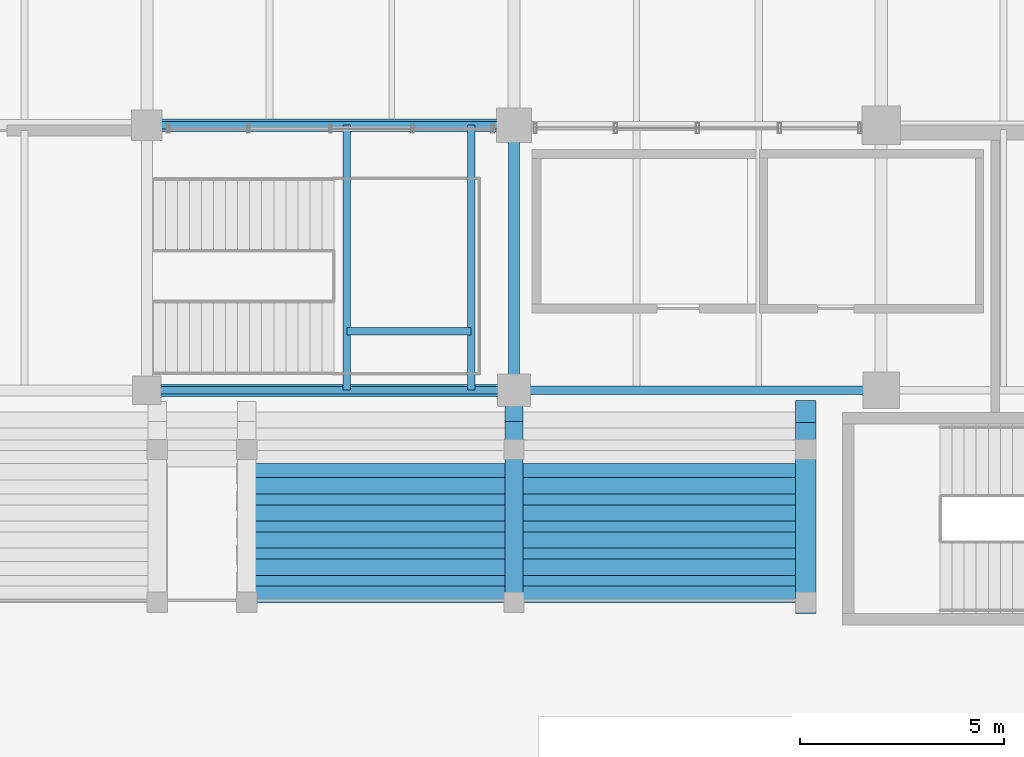
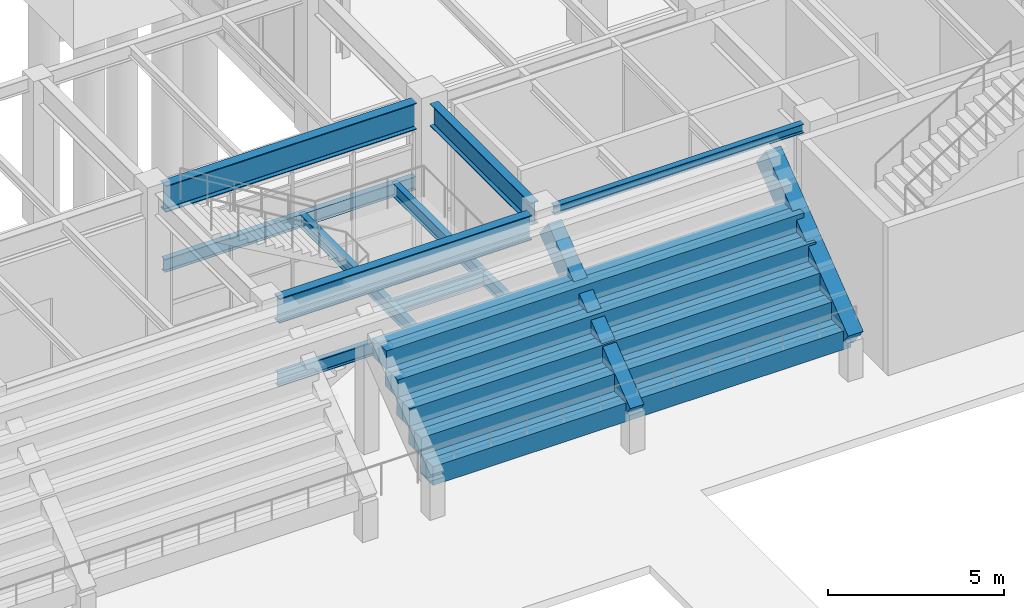
# One storey, part 82 of 203: 21 beams.
"""IFC4 building model written with IfcOpenShell, lengths in metres."""

import ifcopenshell
import ifcopenshell.guid

model = None  # the IFC model being written
_history = None  # IfcOwnerHistory: only IFC2X3 demands one
_inside = {}  # id of a spatial element -> (the spatial element, [elements in it])
_under = {}  # id of a project, library or spatial element -> (it, [spatial elements below it])
_declared = {}  # id of a project -> (the project, [libraries it declares])
_typed = {}  # id of a type object -> (the type object, [elements of that type])
_made_of = {}  # id of a material, layer set ... -> (it, [elements and type objects made of it])


def new_model(schema):
    """Start an empty IFC model of exactly this schema.

    Asked for "IFC4X3", IfcOpenShell would pick the latest addendum, in which some entities
    have other attributes; the version numbers below select the first issue.
    IFC2X3 requires an IfcOwnerHistory on every rooted entity: one is made here for all.
    """
    global model, _history
    if schema == "IFC4X3":
        model = ifcopenshell.file(schema_version=(4, 3, 0, 0))
    else:
        model = ifcopenshell.file(schema=schema)
    _inside.clear()
    _under.clear()
    _declared.clear()
    _typed.clear()
    _made_of.clear()
    _history = None
    if model.schema == "IFC2X3":
        org = make("IfcOrganization", Name="unknown")
        user = make(
            "IfcPersonAndOrganization",
            ThePerson=make("IfcPerson", FamilyName="unknown"),
            TheOrganization=org,
        )
        app = make(
            "IfcApplication",
            ApplicationDeveloper=org,
            Version="unknown",
            ApplicationFullName="unknown",
            ApplicationIdentifier="unknown",
        )
        _history = make(
            "IfcOwnerHistory",
            OwningUser=user,
            OwningApplication=app,
            ChangeAction="ADDED",
            CreationDate=0,
        )
    return model


def make(cls, **values):
    """One entity of the class cls with the attributes given. An attribute that is None is left unset."""
    return model.create_entity(
        cls, **{name: value for name, value in values.items() if value is not None}
    )


def rooted(cls, **values):
    """An entity with a GlobalId (a new one), such as an element, a storey or a relation."""
    return make(cls, GlobalId=ifcopenshell.guid.new(), OwnerHistory=_history, **values)


def si_unit(unit_type, name, prefix=None):
    """IfcSIUnit, for example si_unit("LENGTHUNIT", "METRE", prefix="MILLI")."""
    return make("IfcSIUnit", UnitType=unit_type, Prefix=prefix, Name=name)


def assignment(units):
    """IfcUnitAssignment: the units of a project."""
    return None if units is None else make("IfcUnitAssignment", Units=units)


def point(xyz):
    """IfcCartesianPoint."""
    return None if xyz is None else make("IfcCartesianPoint", Coordinates=xyz)


def direction(xyz):
    """IfcDirection."""
    return None if xyz is None else make("IfcDirection", DirectionRatios=xyz)


def frame(location, z_axis=None, x_axis=None):
    """IfcAxis2Placement3D, a coordinate frame: its origin and axes. An axis left out is left unset."""
    return make(
        "IfcAxis2Placement3D",
        Location=point(location),
        Axis=direction(z_axis),
        RefDirection=direction(x_axis),
    )


def frame_2d(location, x_axis=None):
    """IfcAxis2Placement2D, a coordinate frame in the plane: its origin and x axis."""
    return make(
        "IfcAxis2Placement2D", Location=point(location), RefDirection=direction(x_axis)
    )


def origin():
    """The frame at (0, 0, 0) with its axes left unset."""
    return frame((0.0, 0.0, 0.0))


def origin_2d():
    """The frame at (0, 0) in the plane with its x axis left unset."""
    return frame_2d((0.0, 0.0))


def place(relative_to, where):
    """IfcLocalPlacement: puts the frame where relative to a parent placement (None: the world)."""
    return make(
        "IfcLocalPlacement", PlacementRelTo=relative_to, RelativePlacement=where
    )


def context(
    kind, dimensions, precision=None, world=None, true_north=None, identifier=None
):
    """IfcGeometricRepresentationContext, for example the 3D "Model" context."""
    return make(
        "IfcGeometricRepresentationContext",
        ContextIdentifier=identifier,
        ContextType=kind,
        CoordinateSpaceDimension=dimensions,
        Precision=precision,
        WorldCoordinateSystem=world,
        TrueNorth=true_north,
    )


def subcontext(parent, identifier, kind, view, scale=None):
    """IfcGeometricRepresentationSubContext, for example "Body" below "Model"."""
    return make(
        "IfcGeometricRepresentationSubContext",
        ContextIdentifier=identifier,
        ContextType=kind,
        ParentContext=parent,
        TargetScale=scale,
        TargetView=view,
    )


def project(units=None, contexts=None):
    """IfcProject with its units and contexts."""
    return rooted(
        "IfcProject",
        Name="project",
        RepresentationContexts=contexts,
        UnitsInContext=assignment(units),
    )


def spatial(cls, under=None, at=None, **own):
    """A site, building, storey or space (cls), placed at a placement, below another one or the project."""
    s = rooted(cls, ObjectPlacement=at, **own)
    if under is not None:
        _under.setdefault(under.id(), (under, []))[1].append(s)
    return s


def profile(cls, at=None, kind="AREA", **sizes):
    """A parametric profile (cls). Its sizes go by their IFC names, for example OverallWidth=200.0."""
    return make(cls, ProfileType=kind, Position=at, **sizes)


def rectangle(**sizes):
    """IfcRectangleProfileDef."""
    return profile("IfcRectangleProfileDef", **sizes)


def i_section(**sizes):
    """IfcIShapeProfileDef."""
    return profile("IfcIShapeProfileDef", **sizes)


def extrude(swept, where, along, depth):
    """IfcExtrudedAreaSolid: the profile swept, set in the frame where, extruded along a direction by depth."""
    return make(
        "IfcExtrudedAreaSolid",
        SweptArea=swept,
        Position=where,
        ExtrudedDirection=direction(along),
        Depth=depth,
    )


def shape(context_of_items, identifier, shape_type, items):
    """IfcShapeRepresentation: the items that make up one representation, for example the "Body"."""
    return make(
        "IfcShapeRepresentation",
        ContextOfItems=context_of_items,
        RepresentationIdentifier=identifier,
        RepresentationType=shape_type,
        Items=items,
    )


def material(Name=None, Category=None):
    """IfcMaterial."""
    return make("IfcMaterial", Name=Name, Category=Category)


def material_profile(
    of_material, cross_section, Name=None, Category=None, Priority=None
):
    """IfcMaterialProfile: a cross section and its material."""
    return make(
        "IfcMaterialProfile",
        Name=Name,
        Material=of_material,
        Profile=cross_section,
        Priority=Priority,
        Category=Category,
    )


def profile_set(profiles, Name=None, composite=None):
    """IfcMaterialProfileSet."""
    return make(
        "IfcMaterialProfileSet",
        Name=Name,
        MaterialProfiles=profiles,
        CompositeProfile=composite,
    )


def made_of(thing, what):
    """Note that an element or type object is made of a material, layer set ...; save() writes the relation."""
    if what is not None:
        _made_of.setdefault(what.id(), (what, []))[1].append(thing)
    return thing


def type_object(cls, material=None, **own):
    """A type object (cls), such as IfcWallType, which elements share."""
    return made_of(rooted(cls, **own), material)


def element(
    cls,
    number,
    at=None,
    inside=None,
    cuts=None,
    type_object=None,
    material=None,
    context=None,
    identifier="Body",
    shape_type=None,
    held_by="IfcProductDefinitionShape",
    body=None,
    shapes=None,
    **own,
):
    """One element of the class cls, such as IfcWall. Its Tag is "e" and its number.

    at: its placement. inside: the storey or other place that contains it. cuts: it is an
    opening in that element (IfcRelVoidsElement). A single representation is given by context,
    identifier, shape_type and body (its items); several are given by shapes. held_by: the class
    of the entity that holds the representations. save() writes the other relations.
    """
    e = rooted(cls, Tag="e%d" % number, ObjectPlacement=at, **own)
    if body is not None:
        shapes = [shape(context, identifier, shape_type, body)]
    if shapes is not None:
        e.Representation = make(held_by, Representations=shapes)
    if inside is not None:
        _inside.setdefault(inside.id(), (inside, []))[1].append(e)
    if cuts is not None:
        rooted(
            "IfcRelVoidsElement", RelatingBuildingElement=cuts, RelatedOpeningElement=e
        )
    if type_object is not None:
        _typed.setdefault(type_object.id(), (type_object, []))[1].append(e)
    return made_of(e, material)


def aggregate(whole, parts):
    """IfcRelAggregates: a whole, such as a stair, and the parts it consists of."""
    return rooted("IfcRelAggregates", RelatingObject=whole, RelatedObjects=parts)


def save(model, path):
    """Write the relations noted so far, then the file.

    IfcRelAggregates (storeys below a building ...), IfcRelContainedInSpatialStructure (elements
    in a storey), IfcRelDefinesByType, IfcRelAssociatesMaterial and IfcRelDeclares: one each for
    every whole, place, type object, material and project.
    """
    for whole, parts in _under.values():
        aggregate(whole, parts)
    for where, things in _inside.values():
        rooted(
            "IfcRelContainedInSpatialStructure",
            RelatedElements=things,
            RelatingStructure=where,
        )
    for kind, things in _typed.values():
        rooted("IfcRelDefinesByType", RelatedObjects=things, RelatingType=kind)
    for what, things in _made_of.values():
        rooted("IfcRelAssociatesMaterial", RelatedObjects=things, RelatingMaterial=what)
    for by, libraries in _declared.values():
        rooted("IfcRelDeclares", RelatingContext=by, RelatedDefinitions=libraries)
    model.write(path)


model = new_model("IFC4")

# Units and contexts
model_context = context("Model", 3, precision=1e-05, world=origin(), true_north=direction((0.0, 1.0)))
body_context = subcontext(model_context, "Body", "Model", "MODEL_VIEW")
ifc_project = project(units=[si_unit("LENGTHUNIT", "METRE"), si_unit("AREAUNIT", "SQUARE_METRE"), si_unit("VOLUMEUNIT", "CUBIC_METRE"), si_unit("PLANEANGLEUNIT", "RADIAN"), si_unit("MASSUNIT", "GRAM", prefix="KILO"), si_unit("THERMODYNAMICTEMPERATUREUNIT", "KELVIN"), si_unit("POWERUNIT", "WATT")], contexts=[model_context])

# Site, building, storey
site_placement = place(None, origin())
site = spatial("IfcSite", under=ifc_project, at=site_placement, CompositionType="ELEMENT")
building_placement = place(site_placement, origin())
building = spatial("IfcBuilding", under=site, at=building_placement, Name="Tepalcoro Natatorium and Aquatics Centre", CompositionType="ELEMENT")
storey_placement = place(building_placement, origin())
storey = spatial("IfcBuildingStorey", under=building, at=storey_placement, Name="L00", CompositionType="ELEMENT", Elevation=0.0)

# Beams
ifc_material_1 = material(Name="Concrete C40/50 (fc 40 MPa)", Category="concrete")
ifc_material_profile_1 = material_profile(ifc_material_1, rectangle(XDim=0.39990234375, YDim=0.64990234375, at=origin_2d()), Name="RCB400x650")
ifc_profile_set_1 = profile_set([ifc_material_profile_1], Name="Concrete C40/50 (fc 40 MPa)")
beam_type_1 = type_object("IfcBeamType", Name="BM_RC_400x650", PredefinedType="BEAM", material=ifc_profile_set_1)
for number, where, z_axis, x_axis, name in (
    (1, (100.449951171875, 54.0, 1.300048828125), (1.0, 0.0, 0.0), (0.0, 1.0, 0.0), "Spectator Tier Stringer Beam N-1E-F"),
    (2, (100.449951171875, 54.34423828125, 1.300048828125), (1.0, 0.0, 0.0), (0.0, 1.0, 0.0), "Spectator Tier Stringer Beam N-1E-B"),
    (3, (100.449951171875, 54.664306640625, 1.89990234375), (1.0, 0.0, 0.0), (0.0, 1.0, 0.0), "Spectator Tier Stringer Beam N-2E-F"),
    (4, (100.449951171875, 55.008544921875, 1.89990234375), (1.0, 0.0, 0.0), (0.0, 1.0, 0.0), "Spectator Tier Stringer Beam N-2E-B"),
    (5, (100.449951171875, 55.32861328125, 2.5), (1.0, 0.0, 0.0), (0.0, 1.0, 0.0), "Spectator Tier Stringer Beam N-3E-F"),
    (6, (100.449951171875, 55.6728515625, 2.5), (1.0, 0.0, 0.0), (0.0, 1.0, 0.0), "Spectator Tier Stringer Beam N-3E-B"),
    (7, (100.449951171875, 55.992919921875, 3.10009765625), (1.0, 0.0, 0.0), (0.0, 1.0, 0.0), "Spectator Tier Stringer Beam N-4E-F"),
    (8, (100.449951171875, 56.337158203125, 3.10009765625), (1.0, 0.0, 0.0), (0.0, 1.0, 0.0), "Spectator Tier Stringer Beam N-4E-B"),
    (9, (100.449951171875, 56.6572265625, 3.699951171875), (1.0, 0.0, 0.0), (0.0, 1.0, 0.0), "Spectator Tier Stringer Beam N-5E-F"),
    (10, (100.449951171875, 57.00146484375, 3.699951171875), (1.0, 0.0, 0.0), (0.0, 1.0, 0.0), "Spectator Tier Stringer Beam N-5E-B"),
):
    element("IfcBeam", number, at=place(storey_placement, frame(where, z_axis=z_axis, x_axis=x_axis)), inside=storey, type_object=beam_type_1, Name=name, PredefinedType="BEAM", context=body_context, shape_type="SweptSolid", body=[
        extrude(rectangle(XDim=0.39990234375, YDim=0.64990234375, at=origin_2d()), origin(), (0.0, 0.0, 1.0), 13.699951171875),
    ])
ifc_material_2 = material(Name="Steel ASTM A992 Grade 50 (Fy 345 MPa)", Category="steel")
ifc_material_profile_2 = material_profile(ifc_material_2, i_section(OverallWidth=0.202880859375, OverallDepth=0.304931640625, WebThickness=0.007080078125, FlangeThickness=0.012939453125, FilletRadius=0.013916015625, at=origin_2d()), Name="W12X40")
ifc_profile_set_2 = profile_set([ifc_material_profile_2], Name="Steel ASTM A992 Grade 50 (Fy 345 MPa)")
beam_type_2 = type_object("IfcBeamType", Name="BM_W12x40", PredefinedType="BEAM", material=ifc_profile_set_2)
beam_1_placement = place(storey_placement, frame((107.385009765625, 59.0, 4.972412109375), z_axis=(1.0, 0.0, 0.0), x_axis=(0.0, 1.0, 0.0)))
element("IfcBeam", 11, at=beam_1_placement, inside=storey, type_object=beam_type_2, Name="V1 L00 Grid Girder X", PredefinedType="BEAM", context=body_context, shape_type="SweptSolid", body=[
    extrude(i_section(OverallWidth=0.202880859375, OverallDepth=0.304931640625, WebThickness=0.007080078125, FlangeThickness=0.012939453125, FilletRadius=0.013916015625, at=origin_2d()), origin(), (0.0, 0.0, 1.0), 8.179931640625),
])
ifc_material_profile_3 = material_profile(ifc_material_2, i_section(OverallWidth=0.19091796875, OverallDepth=0.45703125, WebThickness=0.009033203125, FlangeThickness=0.013916015625, FilletRadius=0.013916015625, at=origin_2d()), Name="W18X50")
ifc_profile_set_3 = profile_set([ifc_material_profile_3], Name="Steel ASTM A992 Grade 50 (Fy 345 MPa)")
beam_type_3 = type_object("IfcBeamType", Name="BM_W18x50", PredefinedType="BEAM", material=ifc_profile_set_3)
beam_2_placement = place(storey_placement, frame((98.3349609375, 59.0, 2.271484375), z_axis=(1.0, 0.0, 0.0), x_axis=(0.0, 1.0, 0.0)))
element("IfcBeam", 12, at=beam_2_placement, inside=storey, type_object=beam_type_3, Name="Vomitory Stair Mid-Height Grid Header NE-S", PredefinedType="BEAM", context=body_context, shape_type="SweptSolid", body=[
    extrude(i_section(OverallWidth=0.19091796875, OverallDepth=0.45703125, WebThickness=0.009033203125, FlangeThickness=0.013916015625, FilletRadius=0.013916015625, at=origin_2d()), origin(), (0.0, 0.0, 1.0), 8.280029296875),
])
beam_3_placement = place(storey_placement, frame((98.360107421875, 65.5, 2.271484375), z_axis=(1.0, 0.0, 0.0), x_axis=(0.0, 1.0, 0.0)))
element("IfcBeam", 13, at=beam_3_placement, inside=storey, type_object=beam_type_3, Name="Vomitory Stair Mid-Height Grid Header NE-N", PredefinedType="BEAM", context=body_context, shape_type="SweptSolid", body=[
    extrude(i_section(OverallWidth=0.19091796875, OverallDepth=0.45703125, WebThickness=0.009033203125, FlangeThickness=0.013916015625, FilletRadius=0.013916015625, at=origin_2d()), origin(), (0.0, 0.0, 1.0), 8.22998046875),
])
for number, where, z_axis, x_axis, name in (
    (14, (102.89990234375, 59.001953125, 2.271484375), (0.0, 1.0, 0.0), (-1.0, 0.0, 0.0), "Vomitory Half-Landing Trimmer Beam NE-W"),
    (15, (105.949951171875, 59.001953125, 2.271484375), (0.0, 1.0, 0.0), (-1.0, 0.0, 0.0), "Vomitory Half-Landing Trimmer Beam NE-E"),
):
    element("IfcBeam", number, at=place(storey_placement, frame(where, z_axis=z_axis, x_axis=x_axis)), inside=storey, type_object=beam_type_3, Name=name, PredefinedType="BEAM", context=body_context, shape_type="SweptSolid", body=[
        extrude(i_section(OverallWidth=0.19091796875, OverallDepth=0.45703125, WebThickness=0.009033203125, FlangeThickness=0.013916015625, FilletRadius=0.013916015625, at=origin_2d()), origin(), (0.0, 0.0, 1.0), 6.49609375),
    ])
beam_4_placement = place(storey_placement, frame((102.902099609375, 60.449951171875, 2.271484375), z_axis=(1.0, 0.0, 0.0), x_axis=(0.0, 1.0, 0.0)))
element("IfcBeam", 16, at=beam_4_placement, inside=storey, type_object=beam_type_3, Name="Vomitory Half-Landing Cross-Beam NE-M", PredefinedType="BEAM", context=body_context, shape_type="SweptSolid", body=[
    extrude(i_section(OverallWidth=0.19091796875, OverallDepth=0.45703125, WebThickness=0.009033203125, FlangeThickness=0.013916015625, FilletRadius=0.013916015625, at=origin_2d()), origin(), (0.0, 0.0, 1.0), 3.0458984375),
])
ifc_material_profile_4 = material_profile(ifc_material_2, i_section(OverallWidth=0.26708984375, OverallDepth=0.780029296875, WebThickness=0.01708984375, FlangeThickness=0.030029296875, FilletRadius=0.013916015625, at=origin_2d()), Name="W30X148")
ifc_profile_set_4 = profile_set([ifc_material_profile_4], Name="Steel ASTM A992 Grade 50 (Fy 345 MPa)")
beam_type_4 = type_object("IfcBeamType", Name="BM_W30x148", PredefinedType="BEAM", material=ifc_profile_set_4)
beam_5_placement = place(storey_placement, frame((107.0, 59.385009765625, 4.735107421875), z_axis=(0.0, 1.0, 0.0), x_axis=(-1.0, 0.0, 0.0)))
element("IfcBeam", 17, at=beam_5_placement, inside=storey, type_object=beam_type_4, Name="V1 L00 Grid Girder Y", PredefinedType="BEAM", context=body_context, shape_type="SweptSolid", body=[
    extrude(i_section(OverallWidth=0.26708984375, OverallDepth=0.780029296875, WebThickness=0.01708984375, FlangeThickness=0.030029296875, FilletRadius=0.013916015625, at=origin_2d()), origin(), (0.0, 0.0, 1.0), 5.705078125),
])
ifc_material_profile_5 = material_profile(ifc_material_2, i_section(OverallWidth=0.2919921875, OverallDepth=0.85888671875, WebThickness=0.01708984375, FlangeThickness=0.031005859375, FilletRadius=0.013916015625, at=origin_2d()), Name="W33X169")
ifc_profile_set_5 = profile_set([ifc_material_profile_5], Name="Steel ASTM A992 Grade 50 (Fy 345 MPa)")
beam_type_5 = type_object("IfcBeamType", Name="BM_W33x169", PredefinedType="BEAM", material=ifc_profile_set_5)
beam_6_placement = place(storey_placement, frame((98.3349609375, 59.0, 4.695556640625), z_axis=(1.0, 0.0, 0.0), x_axis=(0.0, 1.0, 0.0)))
element("IfcBeam", 18, at=beam_6_placement, inside=storey, type_object=beam_type_5, Name="V1 L00 Grid Girder X", PredefinedType="BEAM", context=body_context, shape_type="SweptSolid", body=[
    extrude(i_section(OverallWidth=0.2919921875, OverallDepth=0.85888671875, WebThickness=0.01708984375, FlangeThickness=0.031005859375, FilletRadius=0.013916015625, at=origin_2d()), origin(), (0.0, 0.0, 1.0), 8.280029296875),
])
ifc_material_profile_6 = material_profile(ifc_material_2, i_section(OverallWidth=0.304931640625, OverallDepth=0.9189453125, WebThickness=0.01708984375, FlangeThickness=0.028076171875, FilletRadius=0.013916015625, at=origin_2d()), Name="W36X170")
ifc_profile_set_6 = profile_set([ifc_material_profile_6], Name="Steel ASTM A992 Grade 50 (Fy 345 MPa)")
beam_type_6 = type_object("IfcBeamType", Name="BM_W36x170", PredefinedType="BEAM", material=ifc_profile_set_6)
beam_7_placement = place(storey_placement, frame((98.360107421875, 65.5, 4.62548828125), z_axis=(1.0, 0.0, 0.0), x_axis=(0.0, 1.0, 0.0)))
element("IfcBeam", 19, at=beam_7_placement, inside=storey, type_object=beam_type_6, Name="V1 L00 Grid Girder X", PredefinedType="BEAM", context=body_context, shape_type="SweptSolid", body=[
    extrude(i_section(OverallWidth=0.304931640625, OverallDepth=0.9189453125, WebThickness=0.01708984375, FlangeThickness=0.028076171875, FilletRadius=0.013916015625, at=origin_2d()), origin(), (0.0, 0.0, 1.0), 8.22998046875),
])
ifc_material_profile_7 = material_profile(ifc_material_1, rectangle(XDim=0.449951171875, YDim=0.800048828125, at=origin_2d()), Name="RKR450x800")
ifc_profile_set_7 = profile_set([ifc_material_profile_7], Name="Concrete C40/50 (fc 40 MPa)")
beam_type_7 = type_object("IfcBeamType", Name="RK_RC_450x800", PredefinedType="USERDEFINED", material=ifc_profile_set_7)
beam_8_placement = place(storey_placement, frame((107.0, 53.800048828125, 1.25), z_axis=(0.0, 0.793431117483, 0.608660054389), x_axis=(-1.0, 0.0, 0.0)))
element("IfcBeam", 20, at=beam_8_placement, inside=storey, type_object=beam_type_7, Name="Spectator Bowl Raker Beam N-8", ObjectType="RAKER", PredefinedType="USERDEFINED", context=body_context, shape_type="SweptSolid", body=[
    extrude(rectangle(XDim=0.449951171875, YDim=0.800048828125, at=origin_2d()), origin(), (0.0, 0.0, 1.0), 5.8984375),
])
ifc_material_profile_8 = material_profile(ifc_material_1, rectangle(XDim=0.5, YDim=0.89990234375, at=origin_2d()), Name="RKR500x900")
ifc_profile_set_8 = profile_set([ifc_material_profile_8], Name="Concrete C40/50 (fc 40 MPa)")
beam_type_8 = type_object("IfcBeamType", Name="RK_RC_500x900", PredefinedType="USERDEFINED", material=ifc_profile_set_8)
beam_9_placement = place(storey_placement, frame((114.14990234375, 53.800048828125, 1.25), z_axis=(0.0, 0.793431117483, 0.608660054389), x_axis=(-1.0, 0.0, 0.0)))
element("IfcBeam", 21, at=beam_9_placement, inside=storey, type_object=beam_type_8, Name="Spectator Bowl Raker Beam N-9", ObjectType="RAKER", PredefinedType="USERDEFINED", context=body_context, shape_type="SweptSolid", body=[
    extrude(rectangle(XDim=0.5, YDim=0.89990234375, at=origin_2d()), origin(), (0.0, 0.0, 1.0), 5.8984375),
])

save(model, "model.ifc")
